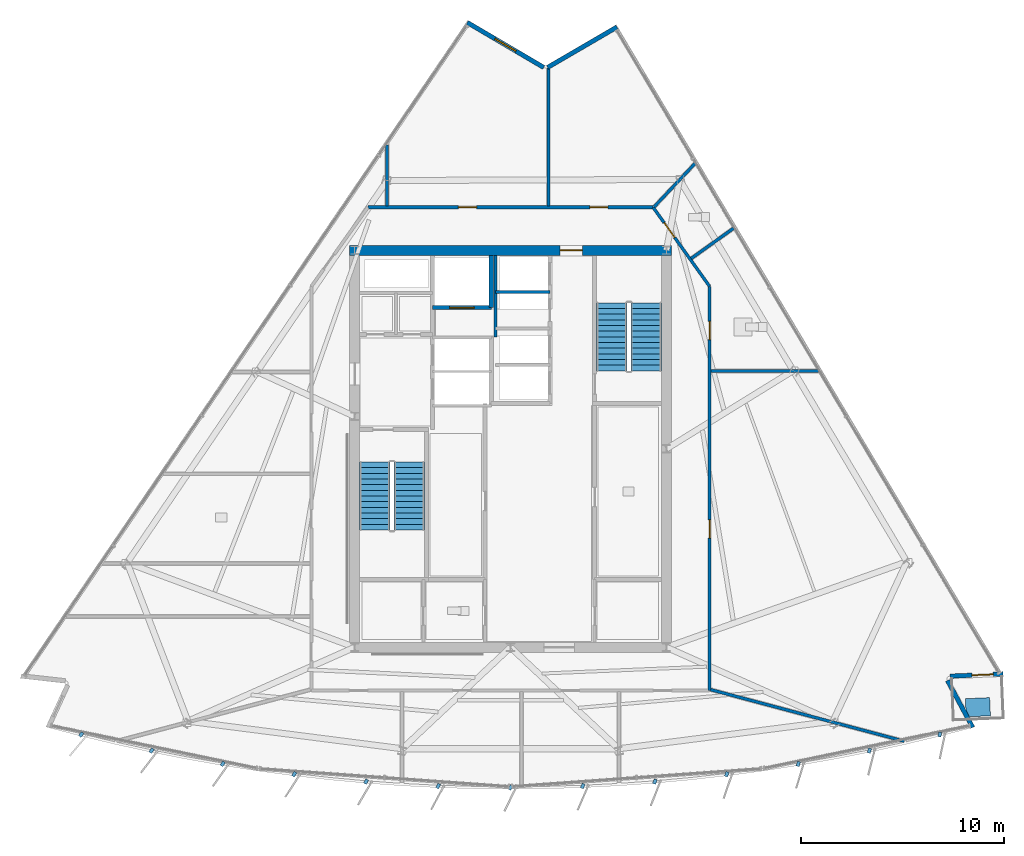
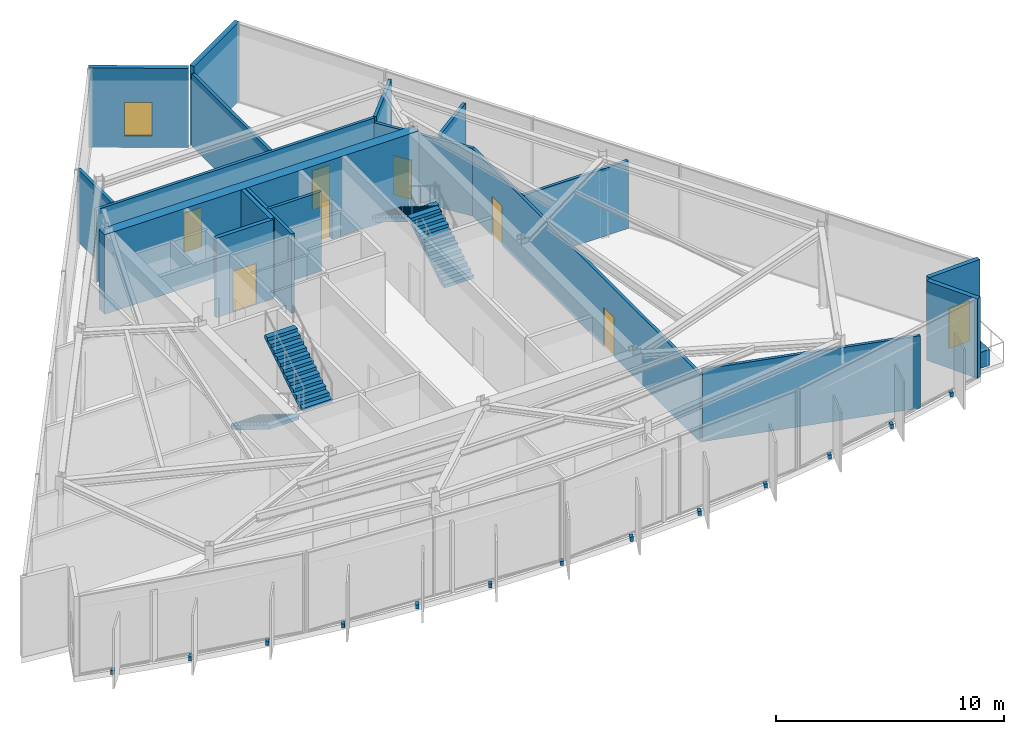
# One storey, part 8 of 12: 18 walls, 14 discrete accessories, 8 doors, 4 stair flights, 1 window, 9 openings, 2 elements without a shape of their own.
"""IFC4 building model written with IfcOpenShell, lengths in metres."""

from ifc_helpers import new_model, si_unit, direction, frame, frame_2d, origin, origin_2d, place, context, subcontext, project, spatial, polyline, rectangle, outline, extrude, material, layer, layer_set, type_object, element, fill, aggregate, save


model = new_model("IFC4")

# Units and contexts
model_context = context("Model", 3, precision=1e-05, world=origin(), true_north=direction((0.0, 1.0)))
body_context = subcontext(model_context, "Body", "Model", "MODEL_VIEW")
ifc_project = project(units=[si_unit("LENGTHUNIT", "METRE"), si_unit("AREAUNIT", "SQUARE_METRE"), si_unit("VOLUMEUNIT", "CUBIC_METRE"), si_unit("PLANEANGLEUNIT", "RADIAN"), si_unit("MASSUNIT", "GRAM", prefix="KILO")], contexts=[model_context])

# Site, building, storey
site_placement = place(None, origin())
site = spatial("IfcSite", under=ifc_project, at=site_placement, CompositionType="ELEMENT")
building_placement = place(site_placement, origin())
building = spatial("IfcBuilding", under=site, at=building_placement, Name="Savorim Split Tower", CompositionType="ELEMENT")
storey_placement = place(building_placement, frame((0.0, 0.0, 246.300048828125)))
storey = spatial("IfcBuildingStorey", under=building, at=storey_placement, Name="L65", CompositionType="ELEMENT", Elevation=246.300048828125)

# Wall, opening, door
ifc_material_1 = material(Name="Concrete C60/75", Category="concrete")
ifc_layer_1 = layer(ifc_material_1, 0.5)
ifc_layer_set_1 = layer_set([ifc_layer_1], Name="WAL-COR-SH500")
wall_type_1 = type_object("IfcWallType", Name="WAL-COR-SH500", PredefinedType="SHEAR", material=ifc_layer_set_1)
wall_1_placement = place(storey_placement, frame((7.949951171875, 10.199951171875, 0.0), z_axis=(0.0, 0.0, 1.0), x_axis=(-1.0, 0.0, 0.0)))
wall_1 = element("IfcWall", 1, at=wall_1_placement, inside=storey, type_object=wall_type_1, Name="L65 Offset Core North Shear Wall", PredefinedType="SHEAR", context=body_context, shape_type="SweptSolid", body=[
    extrude(rectangle(XDim=15.89990234375, YDim=0.5, at=frame_2d((7.949951171875, 0.0))), origin(), (0.0, 0.0, 1.0), 4.25),
])
opening_1_placement = place(wall_1_placement, frame((4.39990234375, 0.0, 0.0)))
opening_1 = element("IfcOpeningElement", 2, at=opening_1_placement, cuts=wall_1, Name="Opening DI-03", PredefinedType="OPENING", context=body_context, shape_type="SweptSolid", body=[
    extrude(rectangle(XDim=1.10009765625, YDim=2.14990234375, at=frame_2d((0.550048828125, 1.074951171875))), frame((0.0, 0.260009765625, 0.0), z_axis=(0.0, -1.0, 0.0), x_axis=(1.0, 0.0, 0.0)), (0.0, 0.0, 1.0), 0.52001953125),
])
ifc_material_2 = material(Name="Timber Fire Door Leaf", Category="wood")
door_type_1 = type_object("IfcDoorType", Name="DOR-FIR-1100", OperationType="NOTDEFINED", PredefinedType="DOOR", material=ifc_material_2)
door_1_placement = place(opening_1_placement, origin())
door_1 = element("IfcDoor", 3, at=door_1_placement, inside=storey, type_object=door_type_1, Name="DOR-L65-COR-NLOB - L65 North Corridor Lobby Fire Door", OperationType="SINGLE_SWING_RIGHT", OverallHeight=2.14990234375, OverallWidth=1.10009765625, PredefinedType="DOOR", context=body_context, shape_type="SweptSolid", body=[
    extrude(rectangle(XDim=1.10009765625, YDim=2.14990234375, at=frame_2d((0.550048828125, 1.074951171875))), frame((0.0, 0.02490234375, 0.0), z_axis=(0.0, -1.0, 0.0), x_axis=(1.0, 0.0, 0.0)), (0.0, 0.0, 1.0), 0.050048828125),
])
fill(opening_1, door_1)

# Wall
ifc_material_3 = material(Name="Precast concrete C40/50", Category="concrete")
ifc_layer_2 = layer(ifc_material_3, 0.219970703125)
ifc_layer_set_2 = layer_set([ifc_layer_2], Name="WAL-EXT-CRN220")
wall_type_2 = type_object("IfcWallType", Name="WAL-EXT-CRN220", PredefinedType="SOLIDWALL", material=ifc_layer_set_2)
wall_2_placement = place(storey_placement, frame((21.58056640625, -11.03955078125, 0.0), z_axis=(0.0, 0.0, 1.0), x_axis=(0.472791303324, -0.881174434208, 0.0)))
element("IfcWall", 4, at=wall_2_placement, inside=storey, type_object=wall_type_2, Name="L65 Notched Corner Facade Wall SE1", PredefinedType="SOLIDWALL", context=body_context, shape_type="SweptSolid", body=[
    extrude(rectangle(XDim=2.626953125, YDim=0.219970703125, at=frame_2d((1.3134765625, 0.0))), origin(), (0.0, 0.0, 1.0), 4.25),
])

# Wall, opening, door
wall_3_placement = place(storey_placement, frame((24.32421875, -10.71435546875, 0.0), z_axis=(0.0, 0.0, 1.0), x_axis=(-0.999095924753, -0.042512740932, 0.0)))
wall_3 = element("IfcWall", 5, at=wall_3_placement, inside=storey, type_object=wall_type_2, Name="L65 Notched Corner Facade Wall SE", PredefinedType="SOLIDWALL", context=body_context, shape_type="SweptSolid", body=[
    extrude(rectangle(XDim=2.62451171875, YDim=0.219970703125, at=frame_2d((1.312255859375, 0.0))), origin(), (0.0, 0.0, 1.0), 4.25),
])
opening_2_placement = place(wall_3_placement, frame((0.4873046875, 0.0, 0.0)))
opening_2 = element("IfcOpeningElement", 6, at=opening_2_placement, cuts=wall_3, Name="Opening DB-01", PredefinedType="OPENING", context=body_context, shape_type="SweptSolid", body=[
    extrude(rectangle(XDim=1.050048828125, YDim=2.14990234375, at=frame_2d((0.52490234375, 1.074951171875))), frame((0.0, 0.119873046875, 0.0), z_axis=(0.0, -1.0, 0.0), x_axis=(1.0, 0.0, 0.0)), (0.0, 0.0, 1.0), 0.239990234375),
])
ifc_material_4 = material(Name="Charcoal Anodised Aluminium", Category="aluminium")
door_type_2 = type_object("IfcDoorType", Name="DOR-BAL-1050", OperationType="NOTDEFINED", PredefinedType="DOOR", material=ifc_material_4)
door_2_placement = place(opening_2_placement, origin())
door_2 = element("IfcDoor", 7, at=door_2_placement, inside=storey, type_object=door_type_2, Name="DOR-L65-TBAL-SE - L65 Planted Tree Balcony Door SE", OperationType="SINGLE_SWING_RIGHT", OverallHeight=2.14990234375, OverallWidth=1.050048828125, PredefinedType="DOOR", context=body_context, shape_type="SweptSolid", body=[
    extrude(rectangle(XDim=1.050048828125, YDim=2.14990234375, at=frame_2d((0.52490234375, 1.074951171875))), frame((0.0, 0.02490234375, 0.0), z_axis=(0.0, -1.0, 0.0), x_axis=(1.0, 0.0, 0.0)), (0.0, 0.0, 1.0), 0.050048828125),
])
fill(opening_2, door_2)

# Wall
wall_4_placement = place(storey_placement, frame((1.832275390625, 19.233642578125, 0.0), z_axis=(0.0, 0.0, 1.0), x_axis=(0.86397765749, 0.503530145432, 0.0)))
element("IfcWall", 8, at=wall_4_placement, inside=storey, type_object=wall_type_2, Name="L65 Notched Corner Facade Wall NE1", PredefinedType="SOLIDWALL", context=body_context, shape_type="SweptSolid", body=[
    extrude(rectangle(XDim=3.963623046875, YDim=0.219970703125, at=frame_2d((1.98193359375, 0.0))), origin(), (0.0, 0.0, 1.0), 4.25),
])

# Wall, opening, window
wall_5_placement = place(storey_placement, frame((-2.1337890625, 21.453125, 0.0), z_axis=(0.0, 0.0, 1.0), x_axis=(0.862106131527, -0.506727755292, 0.0)))
wall_5 = element("IfcWall", 9, at=wall_5_placement, inside=storey, type_object=wall_type_2, Name="L65 Notched Corner Facade Wall N", PredefinedType="SOLIDWALL", context=body_context, shape_type="SweptSolid", body=[
    extrude(rectangle(XDim=4.379638671875, YDim=0.219970703125, at=frame_2d((2.18994140625, 0.0))), origin(), (0.0, 0.0, 1.0), 4.25),
])
opening_3_placement = place(wall_5_placement, frame((1.58984375, 0.0, 0.6201171875)))
opening_3 = element("IfcOpeningElement", 10, at=opening_3_placement, cuts=wall_5, Name="Opening WN-08", PredefinedType="OPENING", context=body_context, shape_type="SweptSolid", body=[
    extrude(rectangle(XDim=1.199951171875, YDim=1.800048828125, at=frame_2d((0.60009765625, 0.89990234375))), frame((0.0, 0.119873046875, 0.0), z_axis=(0.0, -1.0, 0.0), x_axis=(1.0, 0.0, 0.0)), (0.0, 0.0, 1.0), 0.239990234375),
])
ifc_material_5 = material(Name="Low-E Operable Double Glazing", Category="glass")
window_type = type_object("IfcWindowType", Name="WIN-TWR-1200x1800", PartitioningType="SINGLE_PANEL", PredefinedType="WINDOW", material=ifc_material_5)
window_placement = place(opening_3_placement, origin())
window = element("IfcWindow", 11, at=window_placement, inside=storey, type_object=window_type, Name="L65 Operable Corner Window N", OverallHeight=1.800048828125, OverallWidth=1.199951171875, PartitioningType="SINGLE_PANEL", PredefinedType="WINDOW", context=body_context, shape_type="SweptSolid", body=[
    extrude(rectangle(XDim=1.199951171875, YDim=1.800048828125, at=frame_2d((0.60009765625, 0.89990234375))), frame((0.0, 0.030029296875, 0.0), z_axis=(0.0, -1.0, 0.0), x_axis=(1.0, 0.0, 0.0)), (0.0, 0.0, 1.0), 0.06005859375),
])
fill(opening_3, window)

# Wall, opening, door
ifc_material_6 = material(Name="Concrete C50/60", Category="concrete")
ifc_layer_3 = layer(ifc_material_6, 0.199951171875)
ifc_layer_set_3 = layer_set([ifc_layer_3], Name="WAL-INT-RC200")
wall_type_3 = type_object("IfcWallType", Name="WAL-INT-RC200", PredefinedType="SOLIDWALL", material=ifc_layer_set_3)
wall_6_placement = place(storey_placement, frame((-3.85009765625, 7.3798828125, 0.0), z_axis=(0.0, 0.0, 1.0), x_axis=(1.0, 0.0, 0.0)))
wall_6 = element("IfcWall", 12, at=wall_6_placement, inside=storey, type_object=wall_type_3, Name="L65 Partition W-L65-SVLS", PredefinedType="SOLIDWALL", context=body_context, shape_type="SweptSolid", body=[
    extrude(rectangle(XDim=2.900146484375, YDim=0.199951171875, at=frame_2d((1.4501953125, 0.0))), origin(), (0.0, 0.0, 1.0), 4.25),
])
opening_4_placement = place(wall_6_placement, frame((0.85009765625, 0.0, 0.0)))
opening_4 = element("IfcOpeningElement", 13, at=opening_4_placement, cuts=wall_6, Name="Opening LD-SV", PredefinedType="OPENING", context=body_context, shape_type="SweptSolid", body=[
    extrude(rectangle(XDim=1.199951171875, YDim=2.199951171875, at=frame_2d((0.60009765625, 1.10009765625))), frame((0.0, 0.10986328125, 0.0), z_axis=(0.0, -1.0, 0.0), x_axis=(1.0, 0.0, 0.0)), (0.0, 0.0, 1.0), 0.219970703125),
])
door_type_3 = type_object("IfcDoorType", Name="DOR-SLD-SV1200", OperationType="NOTDEFINED", PredefinedType="DOOR", material=ifc_material_4)
door_3_placement = place(opening_4_placement, origin())
door_3 = element("IfcDoor", 14, at=door_3_placement, inside=storey, type_object=door_type_3, Name="DR-L65-LD-SVL1 - L65 Service Lift SVL-1 Sliding Landing Door", OperationType="DOUBLE_DOOR_SLIDING", OverallHeight=2.199951171875, OverallWidth=1.199951171875, PredefinedType="DOOR", context=body_context, shape_type="SweptSolid", body=[
    extrude(rectangle(XDim=1.199951171875, YDim=2.199951171875, at=frame_2d((0.60009765625, 1.10009765625))), frame((0.0, 0.02490234375, 0.0), z_axis=(0.0, -1.0, 0.0), x_axis=(1.0, 0.0, 0.0)), (0.0, 0.0, 1.0), 0.050048828125),
])
fill(opening_4, door_3)

# Walls
wall_7_placement = place(storey_placement, frame((-0.949951171875, 7.3798828125, 0.0), z_axis=(0.0, 0.0, 1.0), x_axis=(0.0, 1.0, 0.0)))
element("IfcWall", 15, at=wall_7_placement, inside=storey, type_object=wall_type_3, Name="L65 Partition W-L65-SVLE", PredefinedType="SOLIDWALL", context=body_context, shape_type="SweptSolid", body=[
    extrude(rectangle(XDim=2.565185546875, YDim=0.199951171875, at=frame_2d((1.28271484375, 0.0))), origin(), (0.0, 0.0, 1.0), 4.25),
])
ifc_material_7 = material(Name="Acoustic Gypsum Partition Board")
ifc_layer_4 = layer(ifc_material_7, 0.14990234375)
ifc_layer_set_4 = layer_set([ifc_layer_4], Name="WAL-PAR-150")
wall_type_4 = type_object("IfcWallType", Name="WAL-PAR-150", PredefinedType="PARTITIONING", material=ifc_layer_set_4)
wall_8_placement = place(storey_placement, frame((-0.75, 5.919921875, 0.0), z_axis=(0.0, 0.0, 1.0), x_axis=(0.0, 1.0, 0.0)))
element("IfcWall", 16, at=wall_8_placement, inside=storey, type_object=wall_type_4, Name="L65 Partition W-L65-B3WEST", PredefinedType="PARTITIONING", context=body_context, shape_type="SweptSolid", body=[
    extrude(rectangle(XDim=4.025146484375, YDim=0.14990234375, at=frame_2d((2.0126953125, 0.0))), origin(), (0.0, 0.0, 1.0), 4.25),
])
wall_9_placement = place(storey_placement, frame((-0.75, 8.14990234375, 0.0), z_axis=(0.0, 0.0, 1.0), x_axis=(1.0, 0.0, 0.0)))
element("IfcWall", 17, at=wall_9_placement, inside=storey, type_object=wall_type_4, Name="L65 Partition W-L65-B3DIV3", PredefinedType="PARTITIONING", context=body_context, shape_type="SweptSolid", body=[
    extrude(rectangle(XDim=2.699951171875, YDim=0.14990234375, at=frame_2d((1.35009765625, 0.0))), origin(), (0.0, 0.0, 1.0), 4.25),
])

# Wall, openings, doors
wall_10_placement = place(storey_placement, frame((-7.041259765625, 12.330078125, 0.0), z_axis=(0.0, 0.0, 1.0), x_axis=(1.0, 0.0, 0.0)))
wall_10 = element("IfcWall", 18, at=wall_10_placement, inside=storey, type_object=wall_type_4, Name="L65 Partition W-L65-COR-03", PredefinedType="PARTITIONING", context=body_context, shape_type="SweptSolid", body=[
    extrude(rectangle(XDim=14.08251953125, YDim=0.14990234375, at=frame_2d((7.041259765625, 0.0))), origin(), (0.0, 0.0, 1.0), 3.875),
])
opening_5_placement = place(wall_10_placement, frame((10.9560546875, 0.0, 0.0)))
opening_5 = element("IfcOpeningElement", 19, at=opening_5_placement, cuts=wall_10, Name="Opening DI-06", PredefinedType="OPENING", context=body_context, shape_type="SweptSolid", body=[
    extrude(rectangle(XDim=0.89990234375, YDim=2.10009765625, at=frame_2d((0.449951171875, 1.050048828125))), frame((0.0, 0.0849609375, 0.0), z_axis=(0.0, -1.0, 0.0), x_axis=(1.0, 0.0, 0.0)), (0.0, 0.0, 1.0), 0.169921875),
])
opening_6_placement = place(wall_10_placement, frame((4.471435546875, 0.0, 0.0)))
opening_6 = element("IfcOpeningElement", 20, at=opening_6_placement, cuts=wall_10, Name="Opening DI-06", PredefinedType="OPENING", context=body_context, shape_type="SweptSolid", body=[
    extrude(rectangle(XDim=0.89990234375, YDim=2.10009765625, at=frame_2d((0.449951171875, 1.050048828125))), frame((0.0, 0.0849609375, 0.0), z_axis=(0.0, -1.0, 0.0), x_axis=(1.0, 0.0, 0.0)), (0.0, 0.0, 1.0), 0.169921875),
])
door_type_4 = type_object("IfcDoorType", Name="DOR-FIR-900", OperationType="NOTDEFINED", PredefinedType="DOOR", material=ifc_material_2)
door_4_placement = place(opening_5_placement, origin())
door_4 = element("IfcDoor", 21, at=door_4_placement, inside=storey, type_object=door_type_4, Name="DR-L65-RM11 - L65 Co-Working Commons Entry Door", OperationType="SINGLE_SWING_RIGHT", OverallHeight=2.10009765625, OverallWidth=0.89990234375, PredefinedType="DOOR", context=body_context, shape_type="SweptSolid", body=[
    extrude(rectangle(XDim=0.89990234375, YDim=2.10009765625, at=frame_2d((0.449951171875, 1.050048828125))), frame((0.0, 0.02490234375, 0.0), z_axis=(0.0, -1.0, 0.0), x_axis=(1.0, 0.0, 0.0)), (0.0, 0.0, 1.0), 0.050048828125),
])
fill(opening_5, door_4)
door_5_placement = place(opening_6_placement, origin())
door_5 = element("IfcDoor", 22, at=door_5_placement, inside=storey, type_object=door_type_4, Name="DR-L65-RM12 - L65 Co-Working Commons Entry Door", OperationType="SINGLE_SWING_LEFT", OverallHeight=2.10009765625, OverallWidth=0.89990234375, PredefinedType="DOOR", context=body_context, shape_type="SweptSolid", body=[
    extrude(rectangle(XDim=0.89990234375, YDim=2.10009765625, at=frame_2d((0.449951171875, 1.050048828125))), frame((0.0, 0.02490234375, 0.0), z_axis=(0.0, -1.0, 0.0), x_axis=(1.0, 0.0, 0.0)), (0.0, 0.0, 1.0), 0.050048828125),
])
fill(opening_6, door_5)

# Wall, opening, door
wall_11_placement = place(storey_placement, frame((7.041259765625, 12.330078125, 0.0), z_axis=(0.0, 0.0, 1.0), x_axis=(0.581218941111, -0.813747222725, 0.0)))
wall_11 = element("IfcWall", 23, at=wall_11_placement, inside=storey, type_object=wall_type_4, Name="L65 Partition W-L65-COR-04", PredefinedType="PARTITIONING", context=body_context, shape_type="SweptSolid", body=[
    extrude(rectangle(XDim=4.79833984375, YDim=0.14990234375, at=frame_2d((2.399169921875, 0.0))), origin(), (0.0, 0.0, 1.0), 3.625),
])
opening_7_placement = place(wall_11_placement, frame((0.935791015625, 0.0, 0.0)))
opening_7 = element("IfcOpeningElement", 24, at=opening_7_placement, cuts=wall_11, Name="Opening DI-11", PredefinedType="OPENING", context=body_context, shape_type="SweptSolid", body=[
    extrude(rectangle(XDim=0.89990234375, YDim=2.10009765625, at=frame_2d((0.449951171875, 1.050048828125))), frame((0.0, 0.0849609375, 0.0), z_axis=(0.0, -1.0, 0.0), x_axis=(1.0, 0.0, 0.0)), (0.0, 0.0, 1.0), 0.169921875),
])
ifc_material_8 = material(Name="Oak Veneer Acoustic Door")
door_type_5 = type_object("IfcDoorType", Name="DOR-WC-900", OperationType="NOTDEFINED", PredefinedType="DOOR", material=ifc_material_8)
door_6_placement = place(opening_7_placement, origin())
door_6 = element("IfcDoor", 25, at=door_6_placement, inside=storey, type_object=door_type_5, Name="DR-L65-RM10 - L65 Accessible WC Entry Door", OperationType="SINGLE_SWING_LEFT", OverallHeight=2.10009765625, OverallWidth=0.89990234375, PredefinedType="DOOR", context=body_context, shape_type="SweptSolid", body=[
    extrude(rectangle(XDim=0.89990234375, YDim=2.10009765625, at=frame_2d((0.449951171875, 1.050048828125))), frame((0.0, 0.02490234375, 0.0), z_axis=(0.0, -1.0, 0.0), x_axis=(1.0, 0.0, 0.0)), (0.0, 0.0, 1.0), 0.050048828125),
])
fill(opening_7, door_6)

# Wall, openings, doors
wall_12_placement = place(storey_placement, frame((9.830078125, 8.425537109375, 0.0), z_axis=(0.0, 0.0, 1.0), x_axis=(0.0, -1.0, 0.0)))
wall_12 = element("IfcWall", 26, at=wall_12_placement, inside=storey, type_object=wall_type_4, Name="L65 Partition W-L65-COR-05", PredefinedType="PARTITIONING", context=body_context, shape_type="SweptSolid", body=[
    extrude(rectangle(XDim=19.95556640625, YDim=0.14990234375, at=frame_2d((9.977783203125, 0.0))), origin(), (0.0, 0.0, 1.0), 3.625),
])
opening_8_placement = place(wall_12_placement, frame((11.5283203125, 0.0, 0.0)))
opening_8 = element("IfcOpeningElement", 27, at=opening_8_placement, cuts=wall_12, Name="Opening DI-06", PredefinedType="OPENING", context=body_context, shape_type="SweptSolid", body=[
    extrude(rectangle(XDim=0.89990234375, YDim=2.10009765625, at=frame_2d((0.449951171875, 1.050048828125))), frame((0.0, 0.0849609375, 0.0), z_axis=(0.0, -1.0, 0.0), x_axis=(1.0, 0.0, 0.0)), (0.0, 0.0, 1.0), 0.169921875),
])
opening_9_placement = place(wall_12_placement, frame((1.728759765625, 0.0, 0.0)))
opening_9 = element("IfcOpeningElement", 28, at=opening_9_placement, cuts=wall_12, Name="Opening DI-11", PredefinedType="OPENING", context=body_context, shape_type="SweptSolid", body=[
    extrude(rectangle(XDim=0.89990234375, YDim=2.10009765625, at=frame_2d((0.449951171875, 1.050048828125))), frame((0.0, 0.0849609375, 0.0), z_axis=(0.0, -1.0, 0.0), x_axis=(1.0, 0.0, 0.0)), (0.0, 0.0, 1.0), 0.169921875),
])
door_7_placement = place(opening_8_placement, origin())
door_7 = element("IfcDoor", 29, at=door_7_placement, inside=storey, type_object=door_type_4, Name="DR-L65-RM08 - L65 Co-Working Commons Entry Door", OperationType="SINGLE_SWING_LEFT", OverallHeight=2.10009765625, OverallWidth=0.89990234375, PredefinedType="DOOR", context=body_context, shape_type="SweptSolid", body=[
    extrude(rectangle(XDim=0.89990234375, YDim=2.10009765625, at=frame_2d((0.449951171875, 1.050048828125))), frame((0.0, 0.02490234375, 0.0), z_axis=(0.0, -1.0, 0.0), x_axis=(1.0, 0.0, 0.0)), (0.0, 0.0, 1.0), 0.050048828125),
])
fill(opening_8, door_7)
door_8_placement = place(opening_9_placement, origin())
door_8 = element("IfcDoor", 30, at=door_8_placement, inside=storey, type_object=door_type_5, Name="DR-L65-RM09 - L65 Shared Bathroom Entry Door", OperationType="SINGLE_SWING_RIGHT", OverallHeight=2.10009765625, OverallWidth=0.89990234375, PredefinedType="DOOR", context=body_context, shape_type="SweptSolid", body=[
    extrude(rectangle(XDim=0.89990234375, YDim=2.10009765625, at=frame_2d((0.449951171875, 1.050048828125))), frame((0.0, 0.02490234375, 0.0), z_axis=(0.0, -1.0, 0.0), x_axis=(1.0, 0.0, 0.0)), (0.0, 0.0, 1.0), 0.050048828125),
])
fill(opening_9, door_8)

# Walls
wall_13_placement = place(storey_placement, frame((9.8837890625, -11.490478515625, 0.0), z_axis=(0.0, 0.0, 1.0), x_axis=(0.96635442317, -0.257214169168, 0.0)))
element("IfcWall", 31, at=wall_13_placement, inside=storey, type_object=wall_type_4, Name="L65 Partition W-L65-SLR04", PredefinedType="PARTITIONING", context=body_context, shape_type="SweptSolid", body=[
    extrude(rectangle(XDim=9.894287109375, YDim=0.14990234375, at=frame_2d((4.947265625, 0.0))), origin(), (0.0, 0.0, 1.0), 3.875),
])
wall_14_placement = place(storey_placement, frame((9.889892578125, 4.24658203125, 0.0), z_axis=(0.0, 0.0, 1.0), x_axis=(1.0, 0.0, 0.0)))
element("IfcWall", 32, at=wall_14_placement, inside=storey, type_object=wall_type_4, Name="L65 Partition W-L65-SLR06", PredefinedType="PARTITIONING", context=body_context, shape_type="SweptSolid", body=[
    extrude(rectangle(XDim=5.315185546875, YDim=0.14990234375, at=frame_2d((2.65771484375, 0.0))), origin(), (0.0, 0.0, 1.0), 3.625),
])
wall_15_placement = place(storey_placement, frame((7.096435546875, 12.351318359375, 0.0), z_axis=(0.0, 0.0, 1.0), x_axis=(0.685325863459, 0.728236541842, 0.0)))
element("IfcWall", 33, at=wall_15_placement, inside=storey, type_object=wall_type_4, Name="L65 Partition W-L65-SLR07", PredefinedType="PARTITIONING", context=body_context, shape_type="SweptSolid", body=[
    extrude(rectangle(XDim=2.94140625, YDim=0.14990234375, at=frame_2d((1.470703125, 0.0))), origin(), (0.0, 0.0, 1.0), 3.875),
])
wall_16_placement = place(storey_placement, frame((-6.106201171875, 12.389892578125, 0.0), z_axis=(0.0, 0.0, 1.0), x_axis=(0.0, 1.0, 0.0)))
element("IfcWall", 34, at=wall_16_placement, inside=storey, type_object=wall_type_4, Name="L65 Partition W-L65-SLR08", PredefinedType="PARTITIONING", context=body_context, shape_type="SweptSolid", body=[
    extrude(rectangle(XDim=3.007080078125, YDim=0.14990234375, at=frame_2d((1.50341796875, 0.0))), origin(), (0.0, 0.0, 1.0), 3.875),
])
wall_17_placement = place(storey_placement, frame((8.9228515625, 9.799072265625, 0.0), z_axis=(0.0, 0.0, 1.0), x_axis=(0.813720638444, 0.581256159168, 0.0)))
element("IfcWall", 35, at=wall_17_placement, inside=storey, type_object=wall_type_4, Name="L65 Partition W-L65-SLSUB04", PredefinedType="PARTITIONING", context=body_context, shape_type="SweptSolid", body=[
    extrude(rectangle(XDim=2.571044921875, YDim=0.14990234375, at=frame_2d((1.28564453125, 0.0))), origin(), (0.0, 0.0, 1.0), 3.875),
])
wall_18_placement = place(storey_placement, frame((1.86669921875, 12.389892578125, 0.0), z_axis=(0.0, 0.0, 1.0), x_axis=(0.0, 1.0, 0.0)))
element("IfcWall", 36, at=wall_18_placement, inside=storey, type_object=wall_type_4, Name="L65 Partition W-L65-SLSUB05", PredefinedType="PARTITIONING", context=body_context, shape_type="SweptSolid", body=[
    extrude(rectangle(XDim=6.805908203125, YDim=0.14990234375, at=frame_2d((3.40283203125, 0.0))), origin(), (0.0, 0.0, 1.0), 3.875),
])

# Stair, stair flights
stair_type = type_object("IfcStairType", Name="STR-DOG-4500", PredefinedType="HALF_TURN_STAIR", material=ifc_material_6)
stair_1_placement = place(storey_placement, origin())
stair_1 = element("IfcStair", 37, at=stair_1_placement, inside=storey, type_object=stair_type, Name="L65 Core Protected Exit Stair ST-1", PredefinedType="HALF_TURN_STAIR")
stair_flight_type = type_object("IfcStairFlightType", Name="SFL-DOG-4500", PredefinedType="STRAIGHT", material=ifc_material_6)
stair_flight_1_placement = place(storey_placement, frame((-6.699951171875, -0.25, 0.0), z_axis=(0.0, 0.0, 1.0), x_axis=(0.0, -1.0, 0.0)))
stair_flight_1 = element("IfcStairFlight", 38, at=stair_flight_1_placement, type_object=stair_flight_type, Name="ST-1 flight 1", NumberOfRisers=13, NumberOfTreads=12, PredefinedType="STRAIGHT", RiserHeight=0.173076923, TreadLength=0.28, context=body_context, shape_type="SweptSolid", body=[
    extrude(outline(polyline([(0.0, 0.0), (0.0, 0.173095703125), (0.280029296875, 0.173095703125), (0.280029296875, 0.34619140625), (0.56005859375, 0.34619140625), (0.56005859375, 0.519287109375), (0.840087890625, 0.519287109375), (0.840087890625, 0.6923828125), (1.1201171875, 0.6923828125), (1.1201171875, 0.865478515625), (1.39990234375, 0.865478515625), (1.39990234375, 1.03857421875), (1.679931640625, 1.03857421875), (1.679931640625, 1.21142578125), (1.9599609375, 1.21142578125), (1.9599609375, 1.384521484375), (2.239990234375, 1.384521484375), (2.239990234375, 1.5576171875), (2.52001953125, 1.5576171875), (2.52001953125, 1.730712890625), (2.800048828125, 1.730712890625), (2.800048828125, 1.90380859375), (3.080078125, 1.90380859375), (3.080078125, 2.076904296875), (3.360107421875, 2.076904296875), (3.360107421875, 2.25), (3.360107421875, 1.900634765625), (0.28515625, 0.0), (0.0, 0.0)])), frame((0.0, 0.75, 0.0), z_axis=(0.0, -1.0, 0.0), x_axis=(1.0, 0.0, 0.0)), (0.0, 0.0, 1.0), 1.5),
])
stair_flight_2_placement = place(storey_placement, frame((-5.0, -3.610107421875, 2.25), z_axis=(0.0, 0.0, 1.0), x_axis=(0.0, 1.0, 0.0)))
stair_flight_2 = element("IfcStairFlight", 39, at=stair_flight_2_placement, type_object=stair_flight_type, Name="ST-1 flight 2", NumberOfRisers=13, NumberOfTreads=12, PredefinedType="STRAIGHT", RiserHeight=0.173076923, TreadLength=0.28, context=body_context, shape_type="SweptSolid", body=[
    extrude(outline(polyline([(0.0, 0.0), (0.0, 0.173095703125), (0.280029296875, 0.173095703125), (0.280029296875, 0.34619140625), (0.56005859375, 0.34619140625), (0.56005859375, 0.519287109375), (0.840087890625, 0.519287109375), (0.840087890625, 0.6923828125), (1.1201171875, 0.6923828125), (1.1201171875, 0.865478515625), (1.39990234375, 0.865478515625), (1.39990234375, 1.03857421875), (1.679931640625, 1.03857421875), (1.679931640625, 1.21142578125), (1.9599609375, 1.21142578125), (1.9599609375, 1.384521484375), (2.239990234375, 1.384521484375), (2.239990234375, 1.5576171875), (2.52001953125, 1.5576171875), (2.52001953125, 1.730712890625), (2.800048828125, 1.730712890625), (2.800048828125, 1.90380859375), (3.080078125, 1.90380859375), (3.080078125, 2.076904296875), (3.360107421875, 2.076904296875), (3.360107421875, 2.25), (3.360107421875, 1.900634765625), (0.28515625, 0.0), (0.0, 0.0)])), frame((0.0, 0.75, 0.0), z_axis=(0.0, -1.0, 0.0), x_axis=(1.0, 0.0, 0.0)), (0.0, 0.0, 1.0), 1.5),
])
aggregate(stair_1, [stair_flight_1, stair_flight_2])

stair_2_placement = place(storey_placement, origin())
stair_2 = element("IfcStair", 40, at=stair_2_placement, inside=storey, type_object=stair_type, Name="L65 Core Protected Exit Stair ST-2", PredefinedType="HALF_TURN_STAIR")
stair_flight_3_placement = place(storey_placement, frame((6.699951171875, 4.25, 0.0), z_axis=(0.0, 0.0, 1.0), x_axis=(0.0, 1.0, 0.0)))
stair_flight_3 = element("IfcStairFlight", 41, at=stair_flight_3_placement, type_object=stair_flight_type, Name="ST-2 flight 1", NumberOfRisers=13, NumberOfTreads=12, PredefinedType="STRAIGHT", RiserHeight=0.173076923, TreadLength=0.28, context=body_context, shape_type="SweptSolid", body=[
    extrude(outline(polyline([(0.0, 0.0), (0.0, 0.173095703125), (0.280029296875, 0.173095703125), (0.280029296875, 0.34619140625), (0.56005859375, 0.34619140625), (0.56005859375, 0.519287109375), (0.840087890625, 0.519287109375), (0.840087890625, 0.6923828125), (1.1201171875, 0.6923828125), (1.1201171875, 0.865478515625), (1.39990234375, 0.865478515625), (1.39990234375, 1.03857421875), (1.679931640625, 1.03857421875), (1.679931640625, 1.21142578125), (1.9599609375, 1.21142578125), (1.9599609375, 1.384521484375), (2.239990234375, 1.384521484375), (2.239990234375, 1.5576171875), (2.52001953125, 1.5576171875), (2.52001953125, 1.730712890625), (2.800048828125, 1.730712890625), (2.800048828125, 1.90380859375), (3.080078125, 1.90380859375), (3.080078125, 2.076904296875), (3.360107421875, 2.076904296875), (3.360107421875, 2.25), (3.360107421875, 1.900634765625), (0.28515625, 0.0), (0.0, 0.0)])), frame((0.0, 0.75, 0.0), z_axis=(0.0, -1.0, 0.0), x_axis=(1.0, 0.0, 0.0)), (0.0, 0.0, 1.0), 1.5),
])
stair_flight_4_placement = place(storey_placement, frame((5.0, 7.610107421875, 2.25), z_axis=(0.0, 0.0, 1.0), x_axis=(0.0, -1.0, 0.0)))
stair_flight_4 = element("IfcStairFlight", 42, at=stair_flight_4_placement, type_object=stair_flight_type, Name="ST-2 flight 2", NumberOfRisers=13, NumberOfTreads=12, PredefinedType="STRAIGHT", RiserHeight=0.173076923, TreadLength=0.28, context=body_context, shape_type="SweptSolid", body=[
    extrude(outline(polyline([(0.0, 0.0), (0.0, 0.173095703125), (0.280029296875, 0.173095703125), (0.280029296875, 0.34619140625), (0.56005859375, 0.34619140625), (0.56005859375, 0.519287109375), (0.840087890625, 0.519287109375), (0.840087890625, 0.6923828125), (1.1201171875, 0.6923828125), (1.1201171875, 0.865478515625), (1.39990234375, 0.865478515625), (1.39990234375, 1.03857421875), (1.679931640625, 1.03857421875), (1.679931640625, 1.21142578125), (1.9599609375, 1.21142578125), (1.9599609375, 1.384521484375), (2.239990234375, 1.384521484375), (2.239990234375, 1.5576171875), (2.52001953125, 1.5576171875), (2.52001953125, 1.730712890625), (2.800048828125, 1.730712890625), (2.800048828125, 1.90380859375), (3.080078125, 1.90380859375), (3.080078125, 2.076904296875), (3.360107421875, 2.076904296875), (3.360107421875, 2.25), (3.360107421875, 1.900634765625), (0.28515625, 0.0), (0.0, 0.0)])), frame((0.0, 0.75, 0.0), z_axis=(0.0, -1.0, 0.0), x_axis=(1.0, 0.0, 0.0)), (0.0, 0.0, 1.0), 1.5),
])
aggregate(stair_2, [stair_flight_3, stair_flight_4])

# Discrete accessories
ifc_material_9 = material(Name="Steel S355", Category="steel")
discrete_accessory_type_1 = type_object("IfcDiscreteAccessoryType", Name="ACC-BRK-FIN", PredefinedType="BRACKET", material=ifc_material_9)
for number, where, z_axis, x_axis, name in (
    (43, (-21.19970703125, -13.70703125, -0.18994140625), (0.0, 0.0, 1.0), (-0.643719022682, -0.765261928909, 0.0), "L65 Fin Slab-Edge Cleat Bracket 01"),
    (44, (-17.720947265625, -14.503662109375, -0.18994140625), (0.0, 0.0, 1.0), (-0.611868076908, -0.790959832394, 0.0), "L65 Fin Slab-Edge Cleat Bracket 02"),
    (45, (-14.21240234375, -15.1572265625, -0.18994140625), (0.0, 0.0, 1.0), (-0.578993757737, -0.815331974414, 0.0), "L65 Fin Slab-Edge Cleat Bracket 03"),
    (46, (-10.680419921875, -15.666748046875, -0.18994140625), (0.0, 0.0, 1.0), (-0.545148321708, -0.838339613366, 0.0), "L65 Fin Slab-Edge Cleat Bracket 04"),
    (47, (-7.130126953125, -16.03125, -0.18994140625), (0.0, 0.0, 1.0), (-0.510391336723, -0.859942255851, 0.0), "L65 Fin Slab-Edge Cleat Bracket 05"),
    (48, (-3.568115234375, -16.250244140625, -0.18994140625), (0.0, 0.0, 1.0), (-0.474778051978, -0.880105562623, 0.0), "L65 Fin Slab-Edge Cleat Bracket 06"),
    (49, (0.0, -16.3232421875, -0.18994140625), (0.0, 0.0, 1.0), (-0.438371146789, -0.898794046299, 0.0), "L65 Fin Slab-Edge Cleat Bracket 07"),
    (50, (3.568115234375, -16.250244140625, -0.18994140625), (0.0, 0.0, 1.0), (-0.401230091723, -0.915977299662, 0.0), "L65 Fin Slab-Edge Cleat Bracket 08"),
    (51, (7.130126953125, -16.03125, -0.18994140625), (0.0, 0.0, 1.0), (-0.363415461732, -0.931627179817, 0.0), "L65 Fin Slab-Edge Cleat Bracket 09"),
    (52, (10.680419921875, -15.666748046875, -0.18994140625), (0.0, 0.0, 1.0), (-0.324993810493, -0.945716143005, 0.0), "L65 Fin Slab-Edge Cleat Bracket 10"),
    (53, (14.21240234375, -15.1572265625, -0.18994140625), (0.0, 0.0, 1.0), (-0.286026212504, -0.958221793616, 0.0), "L65 Fin Slab-Edge Cleat Bracket 11"),
    (54, (17.720947265625, -14.503662109375, -0.18994140625), (0.0, 0.0, 1.0), (-0.246581250663, -0.969122121727, 0.0), "L65 Fin Slab-Edge Cleat Bracket 12"),
    (55, (21.19970703125, -13.70703125, -0.18994140625), (0.0, 0.0, 1.0), (-0.206721626106, -0.978399800337, 0.0), "L65 Fin Slab-Edge Cleat Bracket 13"),
):
    element("IfcDiscreteAccessory", number, at=place(storey_placement, frame(where, z_axis=z_axis, x_axis=x_axis)), inside=storey, type_object=discrete_accessory_type_1, Name=name, PredefinedType="BRACKET", context=body_context, shape_type="SweptSolid", body=[
        extrude(rectangle(XDim=0.239990234375, YDim=0.159912109375, at=origin_2d()), origin(), (0.0, 0.0, 1.0), 0.219970703125),
    ])
ifc_material_10 = material(Name="Architectural Precast Planter Concrete C40/50", Category="concrete")
discrete_accessory_type_2 = type_object("IfcDiscreteAccessoryType", Name="ACC-PLN-TREE", PredefinedType="USERDEFINED", material=ifc_material_10)
discrete_accessory_placement = place(storey_placement, frame((23.080810546875, -12.35888671875, 0.0), z_axis=(0.0, 0.0, 1.0), x_axis=(0.999095505441, 0.042522594075, 0.0)))
element("IfcDiscreteAccessory", 56, at=discrete_accessory_placement, inside=storey, type_object=discrete_accessory_type_2, Name="L65 Balcony Precast Tree Planter SE", ObjectType="PLANTER", PredefinedType="USERDEFINED", context=body_context, shape_type="SweptSolid", body=[
    extrude(rectangle(XDim=1.199951171875, YDim=0.89990234375, at=origin_2d()), origin(), (0.0, 0.0, 1.0), 0.85009765625),
])

save(model, "model.ifc")
